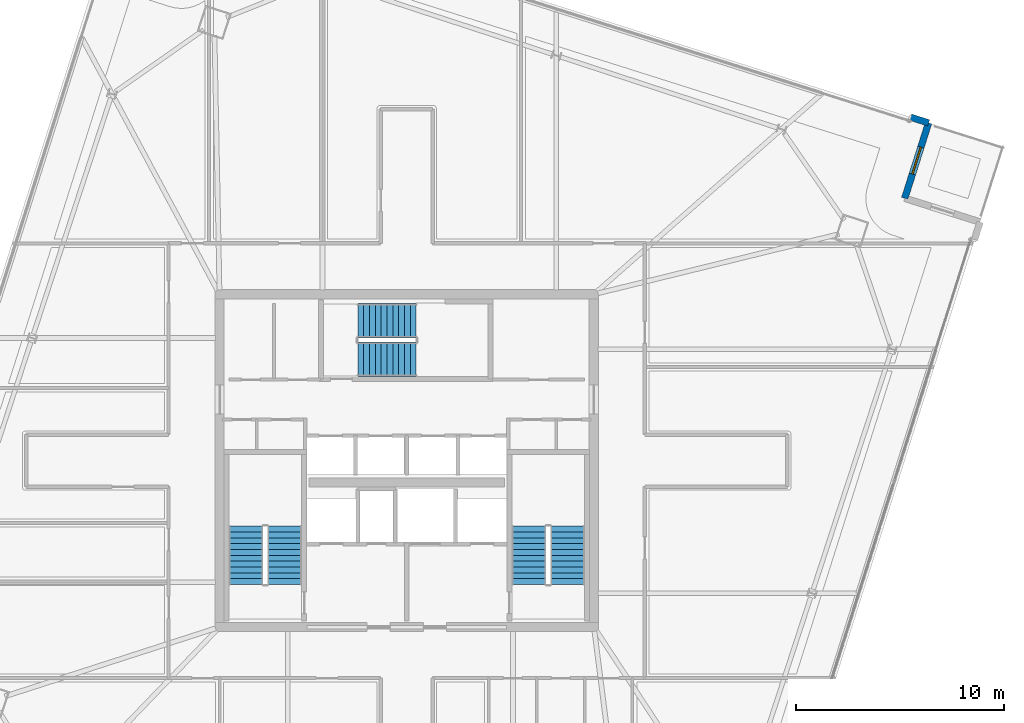
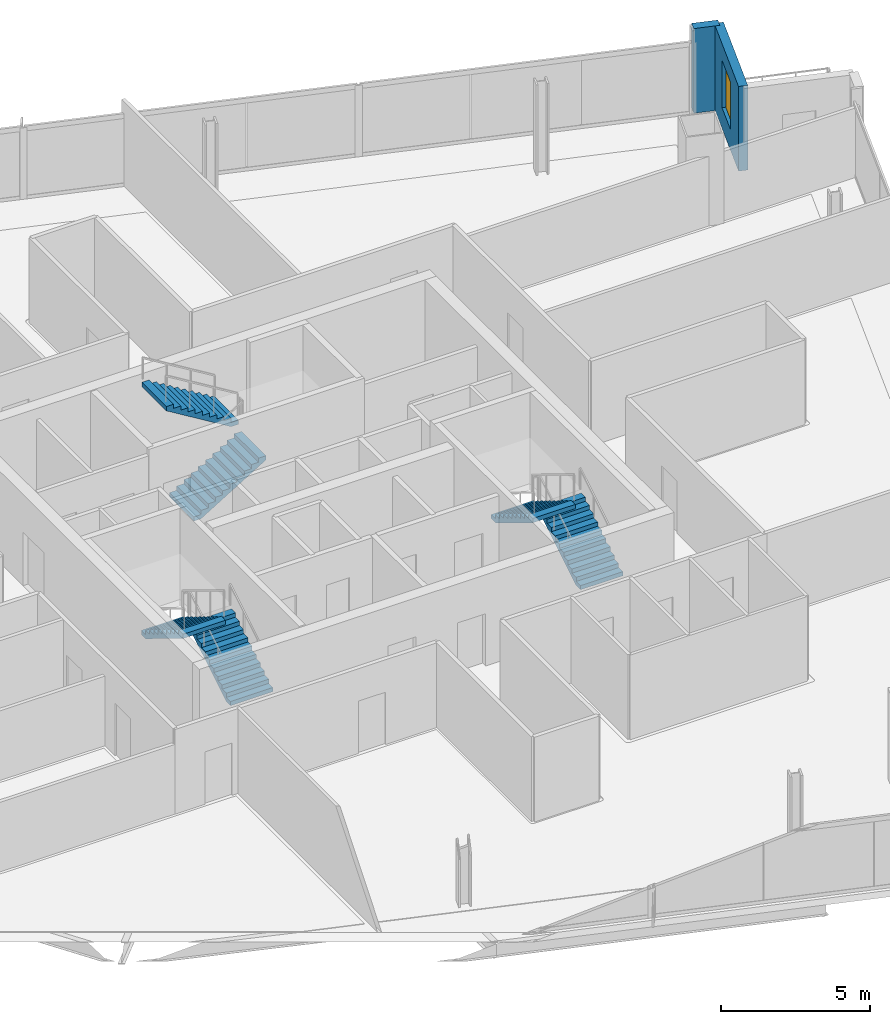
# One storey, part 21 of 26: 6 stair flights, 2 walls, 1 window, 1 opening, 3 elements without a shape of their own.
"""IFC4 building model written with IfcOpenShell, lengths in metres."""

from ifc_helpers import new_model, si_unit, direction, frame, frame_2d, origin, place, context, subcontext, project, spatial, polyline, rectangle, outline, extrude, material, layer, layer_set, type_object, element, fill, aggregate, save


model = new_model("IFC4")

# Units and contexts
model_context = context("Model", 3, precision=1e-05, world=origin(), true_north=direction((0.0, 1.0)))
body_context = subcontext(model_context, "Body", "Model", "MODEL_VIEW")
ifc_project = project(units=[si_unit("LENGTHUNIT", "METRE"), si_unit("AREAUNIT", "SQUARE_METRE"), si_unit("VOLUMEUNIT", "CUBIC_METRE"), si_unit("PLANEANGLEUNIT", "RADIAN"), si_unit("MASSUNIT", "GRAM", prefix="KILO")], contexts=[model_context])

# Site, building, storey
site_placement = place(None, origin())
site = spatial("IfcSite", under=ifc_project, at=site_placement, CompositionType="ELEMENT")
building_placement = place(site_placement, origin())
building = spatial("IfcBuilding", under=site, at=building_placement, Name="Haldenkirk Collegiate Tower", CompositionType="ELEMENT")
storey_placement = place(building_placement, frame((0.0, 0.0, 271.199951171875)))
storey = spatial("IfcBuildingStorey", under=building, at=storey_placement, Name="L68", CompositionType="ELEMENT", Elevation=271.199951171875)

# Wall, opening, window
ifc_material_1 = material(Name="Precast concrete f'c 40 MPa", Category="concrete")
ifc_layer_1 = layer(ifc_material_1, 0.320068359375)
ifc_layer_set_1 = layer_set([ifc_layer_1], Name="Precast concrete f'c 40 MPa")
wall_type = type_object("IfcWallType", Name="WL-EXT-TWR-320", PredefinedType="STANDARD", material=ifc_layer_set_1)
wall_1_placement = place(storey_placement, frame((61.08984375, 42.240478515625, 0.0), z_axis=(0.0, 0.0, 1.0), x_axis=(-0.301503385419, -0.953465106116, 0.0)))
wall_1 = element("IfcWall", 1, at=wall_1_placement, inside=storey, type_object=wall_type, Name="L68 bronze precast notch wall 03", PredefinedType="STANDARD", context=body_context, shape_type="SweptSolid", body=[
    extrude(rectangle(XDim=3.800048828125, YDim=0.320068359375, at=frame_2d((1.89990234375, 0.0))), origin(), (0.0, 0.0, 1.0), 3.47998046875),
])
opening_placement = place(wall_1_placement, frame((1.22509765625, 0.0, 0.85009765625)))
opening = element("IfcOpeningElement", 2, at=opening_placement, cuts=wall_1, Name="Opening W-07", PredefinedType="OPENING", context=body_context, shape_type="SweptSolid", body=[
    extrude(rectangle(XDim=1.35009765625, YDim=1.949951171875, at=frame_2d((0.675048828125, 0.97509765625))), frame((0.0, 0.169921875, 0.0), z_axis=(0.0, -1.0, 0.0), x_axis=(1.0, 0.0, 0.0)), (0.0, 0.0, 1.0), 0.340087890625),
])
ifc_material_2 = material(Name="Low-E argon triple insulating glass", Category="glass")
ifc_layer_2 = layer(ifc_material_2, 0.090087890625)
ifc_layer_set_2 = layer_set([ifc_layer_2], Name="Low-E argon triple insulating glass")
window_type = type_object("IfcWindowType", Name="WN-Z5-1350X1950", PartitioningType="SINGLE_PANEL", PredefinedType="WINDOW", material=ifc_layer_set_2)
window_placement = place(opening_placement, origin())
window = element("IfcWindow", 3, at=window_placement, inside=storey, type_object=window_type, Name="L68 precast-frame academic window 2", OverallHeight=1.949951171875, OverallWidth=1.35009765625, PartitioningType="SINGLE_PANEL", PredefinedType="WINDOW", context=body_context, shape_type="SweptSolid", body=[
    extrude(rectangle(XDim=1.35009765625, YDim=1.949951171875, at=frame_2d((0.675048828125, 0.97509765625))), frame((0.0, 0.030029296875, 0.0), z_axis=(0.0, -1.0, 0.0), x_axis=(1.0, 0.0, 0.0)), (0.0, 0.0, 1.0), 0.06005859375),
])
fill(opening, window)

# Wall
wall_2_placement = place(storey_placement, frame((60.231689453125, 42.51171875, 0.0), z_axis=(0.0, 0.0, 1.0), x_axis=(0.95350473782, -0.301378026662, 0.0)))
element("IfcWall", 4, at=wall_2_placement, inside=storey, type_object=wall_type, Name="L68 precast corner pier ER", PredefinedType="STANDARD", context=body_context, shape_type="SweptSolid", body=[
    extrude(rectangle(XDim=0.89990234375, YDim=0.320068359375, at=frame_2d((0.449951171875, 0.0))), origin(), (0.0, 0.0, 1.0), 3.47998046875),
])

# Stair, stair flights
ifc_material_3 = material(Name="Concrete f'c 40 MPa", Category="concrete")
stair_type = type_object("IfcStairType", Name="STR-DOGLEG-1650", PredefinedType="HALF_TURN_STAIR", material=ifc_material_3)
stair_1_placement = place(storey_placement, origin())
stair_1 = element("IfcStair", 5, at=stair_1_placement, inside=storey, type_object=stair_type, Name="L68 Core Exit Stair ST-1", PredefinedType="HALF_TURN_STAIR")
stair_flight_type = type_object("IfcStairFlightType", Name="STF-FLIGHT-1650", PredefinedType="STRAIGHT", material=ifc_material_3)
stair_flight_1_placement = place(storey_placement, frame((30.125, 20.050048828125, 0.0), z_axis=(0.0, 0.0, 1.0), x_axis=(0.0, 1.0, 0.0)))
stair_flight_1 = element("IfcStairFlight", 6, at=stair_flight_1_placement, type_object=stair_flight_type, Name="ST-1 flight 1", NumberOfRisers=11, NumberOfTreads=10, PredefinedType="STRAIGHT", RiserHeight=0.170454545, TreadLength=0.28, context=body_context, shape_type="SweptSolid", body=[
    extrude(outline(polyline([(0.0, 0.0), (0.0, 0.17041015625), (0.280029296875, 0.17041015625), (0.280029296875, 0.3408203125), (0.56005859375, 0.3408203125), (0.56005859375, 0.511474609375), (0.840087890625, 0.511474609375), (0.840087890625, 0.681884765625), (1.1201171875, 0.681884765625), (1.1201171875, 0.852294921875), (1.39990234375, 0.852294921875), (1.39990234375, 1.022705078125), (1.679931640625, 1.022705078125), (1.679931640625, 1.193115234375), (1.9599609375, 1.193115234375), (1.9599609375, 1.363525390625), (2.239990234375, 1.363525390625), (2.239990234375, 1.5341796875), (2.52001953125, 1.5341796875), (2.52001953125, 1.70458984375), (2.800048828125, 1.70458984375), (2.800048828125, 1.875), (2.800048828125, 1.529052734375), (0.288330078125, 0.0), (0.0, 0.0)])), frame((0.0, 0.824951171875, 0.0), z_axis=(0.0, -1.0, 0.0), x_axis=(1.0, 0.0, 0.0)), (0.0, 0.0, 1.0), 1.64990234375),
])
stair_flight_2_placement = place(storey_placement, frame((28.27490234375, 22.85009765625, 1.875), z_axis=(0.0, 0.0, 1.0), x_axis=(0.0, -1.0, 0.0)))
stair_flight_2 = element("IfcStairFlight", 7, at=stair_flight_2_placement, type_object=stair_flight_type, Name="ST-1 flight 2", NumberOfRisers=11, NumberOfTreads=10, PredefinedType="STRAIGHT", RiserHeight=0.170454545, TreadLength=0.28, context=body_context, shape_type="SweptSolid", body=[
    extrude(outline(polyline([(0.0, 0.0), (0.0, 0.17041015625), (0.280029296875, 0.17041015625), (0.280029296875, 0.3408203125), (0.56005859375, 0.3408203125), (0.56005859375, 0.511474609375), (0.840087890625, 0.511474609375), (0.840087890625, 0.681884765625), (1.1201171875, 0.681884765625), (1.1201171875, 0.852294921875), (1.39990234375, 0.852294921875), (1.39990234375, 1.022705078125), (1.679931640625, 1.022705078125), (1.679931640625, 1.193115234375), (1.9599609375, 1.193115234375), (1.9599609375, 1.363525390625), (2.239990234375, 1.363525390625), (2.239990234375, 1.5341796875), (2.52001953125, 1.5341796875), (2.52001953125, 1.70458984375), (2.800048828125, 1.70458984375), (2.800048828125, 1.875), (2.800048828125, 1.529052734375), (0.288330078125, 0.0), (0.0, 0.0)])), frame((0.0, 0.824951171875, 0.0), z_axis=(0.0, -1.0, 0.0), x_axis=(1.0, 0.0, 0.0)), (0.0, 0.0, 1.0), 1.64990234375),
])
aggregate(stair_1, [stair_flight_1, stair_flight_2])

stair_2_placement = place(storey_placement, origin())
stair_2 = element("IfcStair", 8, at=stair_2_placement, inside=storey, type_object=stair_type, Name="L68 Core Exit Stair ST-2", PredefinedType="HALF_TURN_STAIR")
stair_flight_3_placement = place(storey_placement, frame((43.72509765625, 20.050048828125, 0.0), z_axis=(0.0, 0.0, 1.0), x_axis=(0.0, 1.0, 0.0)))
stair_flight_3 = element("IfcStairFlight", 9, at=stair_flight_3_placement, type_object=stair_flight_type, Name="ST-2 flight 1", NumberOfRisers=11, NumberOfTreads=10, PredefinedType="STRAIGHT", RiserHeight=0.170454545, TreadLength=0.28, context=body_context, shape_type="SweptSolid", body=[
    extrude(outline(polyline([(0.0, 0.0), (0.0, 0.17041015625), (0.280029296875, 0.17041015625), (0.280029296875, 0.3408203125), (0.56005859375, 0.3408203125), (0.56005859375, 0.511474609375), (0.840087890625, 0.511474609375), (0.840087890625, 0.681884765625), (1.1201171875, 0.681884765625), (1.1201171875, 0.852294921875), (1.39990234375, 0.852294921875), (1.39990234375, 1.022705078125), (1.679931640625, 1.022705078125), (1.679931640625, 1.193115234375), (1.9599609375, 1.193115234375), (1.9599609375, 1.363525390625), (2.239990234375, 1.363525390625), (2.239990234375, 1.5341796875), (2.52001953125, 1.5341796875), (2.52001953125, 1.70458984375), (2.800048828125, 1.70458984375), (2.800048828125, 1.875), (2.800048828125, 1.529052734375), (0.288330078125, 0.0), (0.0, 0.0)])), frame((0.0, 0.824951171875, 0.0), z_axis=(0.0, -1.0, 0.0), x_axis=(1.0, 0.0, 0.0)), (0.0, 0.0, 1.0), 1.64990234375),
])
stair_flight_4_placement = place(storey_placement, frame((41.875, 22.85009765625, 1.875), z_axis=(0.0, 0.0, 1.0), x_axis=(0.0, -1.0, 0.0)))
stair_flight_4 = element("IfcStairFlight", 10, at=stair_flight_4_placement, type_object=stair_flight_type, Name="ST-2 flight 2", NumberOfRisers=11, NumberOfTreads=10, PredefinedType="STRAIGHT", RiserHeight=0.170454545, TreadLength=0.28, context=body_context, shape_type="SweptSolid", body=[
    extrude(outline(polyline([(0.0, 0.0), (0.0, 0.17041015625), (0.280029296875, 0.17041015625), (0.280029296875, 0.3408203125), (0.56005859375, 0.3408203125), (0.56005859375, 0.511474609375), (0.840087890625, 0.511474609375), (0.840087890625, 0.681884765625), (1.1201171875, 0.681884765625), (1.1201171875, 0.852294921875), (1.39990234375, 0.852294921875), (1.39990234375, 1.022705078125), (1.679931640625, 1.022705078125), (1.679931640625, 1.193115234375), (1.9599609375, 1.193115234375), (1.9599609375, 1.363525390625), (2.239990234375, 1.363525390625), (2.239990234375, 1.5341796875), (2.52001953125, 1.5341796875), (2.52001953125, 1.70458984375), (2.800048828125, 1.70458984375), (2.800048828125, 1.875), (2.800048828125, 1.529052734375), (0.288330078125, 0.0), (0.0, 0.0)])), frame((0.0, 0.824951171875, 0.0), z_axis=(0.0, -1.0, 0.0), x_axis=(1.0, 0.0, 0.0)), (0.0, 0.0, 1.0), 1.64990234375),
])
aggregate(stair_2, [stair_flight_3, stair_flight_4])

stair_3_placement = place(storey_placement, origin())
stair_3 = element("IfcStair", 11, at=stair_3_placement, inside=storey, type_object=stair_type, Name="L68 Core Exit Stair ST-3", PredefinedType="HALF_TURN_STAIR")
stair_flight_5_placement = place(storey_placement, frame((33.64990234375, 30.875, 0.0), z_axis=(0.0, 0.0, 1.0), x_axis=(1.0, 0.0, 0.0)))
stair_flight_5 = element("IfcStairFlight", 12, at=stair_flight_5_placement, type_object=stair_flight_type, Name="ST-3 flight 1", NumberOfRisers=11, NumberOfTreads=10, PredefinedType="STRAIGHT", RiserHeight=0.170454545, TreadLength=0.28, context=body_context, shape_type="SweptSolid", body=[
    extrude(outline(polyline([(0.0, 0.0), (0.0, 0.17041015625), (0.280029296875, 0.17041015625), (0.280029296875, 0.3408203125), (0.56005859375, 0.3408203125), (0.56005859375, 0.511474609375), (0.840087890625, 0.511474609375), (0.840087890625, 0.681884765625), (1.1201171875, 0.681884765625), (1.1201171875, 0.852294921875), (1.39990234375, 0.852294921875), (1.39990234375, 1.022705078125), (1.679931640625, 1.022705078125), (1.679931640625, 1.193115234375), (1.9599609375, 1.193115234375), (1.9599609375, 1.363525390625), (2.239990234375, 1.363525390625), (2.239990234375, 1.5341796875), (2.52001953125, 1.5341796875), (2.52001953125, 1.70458984375), (2.800048828125, 1.70458984375), (2.800048828125, 1.875), (2.800048828125, 1.529052734375), (0.288330078125, 0.0), (0.0, 0.0)])), frame((0.0, 0.824951171875, 0.0), z_axis=(0.0, -1.0, 0.0), x_axis=(1.0, 0.0, 0.0)), (0.0, 0.0, 1.0), 1.64990234375),
])
stair_flight_6_placement = place(storey_placement, frame((36.449951171875, 32.72509765625, 1.875), z_axis=(0.0, 0.0, 1.0), x_axis=(-1.0, 0.0, 0.0)))
stair_flight_6 = element("IfcStairFlight", 13, at=stair_flight_6_placement, type_object=stair_flight_type, Name="ST-3 flight 2", NumberOfRisers=11, NumberOfTreads=10, PredefinedType="STRAIGHT", RiserHeight=0.170454545, TreadLength=0.28, context=body_context, shape_type="SweptSolid", body=[
    extrude(outline(polyline([(0.0, 0.0), (0.0, 0.17041015625), (0.280029296875, 0.17041015625), (0.280029296875, 0.3408203125), (0.56005859375, 0.3408203125), (0.56005859375, 0.511474609375), (0.840087890625, 0.511474609375), (0.840087890625, 0.681884765625), (1.1201171875, 0.681884765625), (1.1201171875, 0.852294921875), (1.39990234375, 0.852294921875), (1.39990234375, 1.022705078125), (1.679931640625, 1.022705078125), (1.679931640625, 1.193115234375), (1.9599609375, 1.193115234375), (1.9599609375, 1.363525390625), (2.239990234375, 1.363525390625), (2.239990234375, 1.5341796875), (2.52001953125, 1.5341796875), (2.52001953125, 1.70458984375), (2.800048828125, 1.70458984375), (2.800048828125, 1.875), (2.800048828125, 1.529052734375), (0.288330078125, 0.0), (0.0, 0.0)])), frame((0.0, 0.824951171875, 0.0), z_axis=(0.0, -1.0, 0.0), x_axis=(1.0, 0.0, 0.0)), (0.0, 0.0, 1.0), 1.64990234375),
])
aggregate(stair_3, [stair_flight_5, stair_flight_6])

save(model, "model.ifc")
